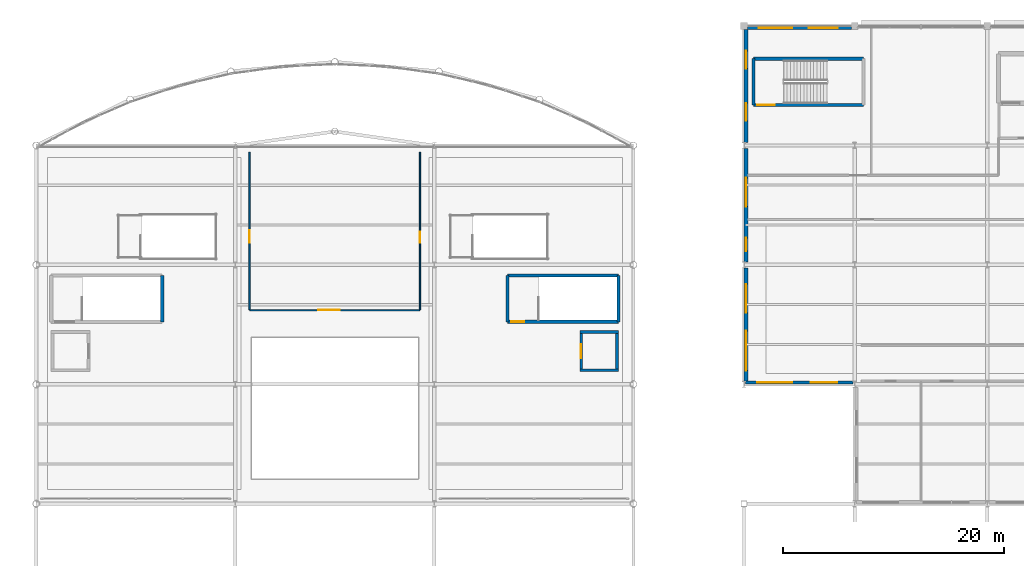
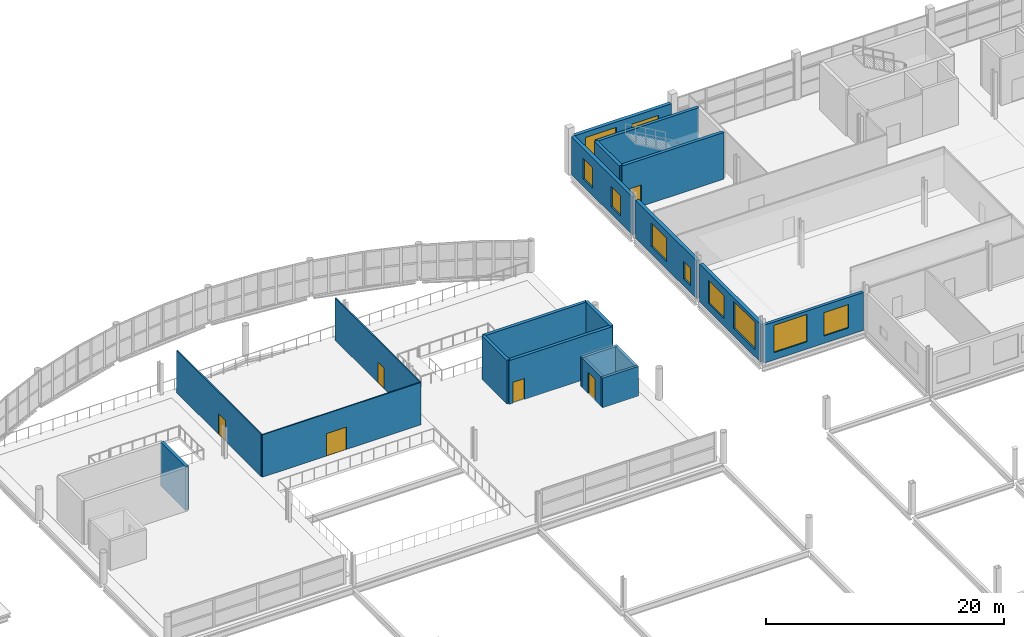
# One storey, part 123 of 134: 20 walls, 10 windows, 6 doors, 16 openings.
"""IFC4 building model written with IfcOpenShell, lengths in metres."""

import ifcopenshell
import ifcopenshell.guid

model = None  # the IFC model being written
_history = None  # IfcOwnerHistory: only IFC2X3 demands one
_inside = {}  # id of a spatial element -> (the spatial element, [elements in it])
_under = {}  # id of a project, library or spatial element -> (it, [spatial elements below it])
_declared = {}  # id of a project -> (the project, [libraries it declares])
_typed = {}  # id of a type object -> (the type object, [elements of that type])
_made_of = {}  # id of a material, layer set ... -> (it, [elements and type objects made of it])


def new_model(schema):
    """Start an empty IFC model of exactly this schema.

    Asked for "IFC4X3", IfcOpenShell would pick the latest addendum, in which some entities
    have other attributes; the version numbers below select the first issue.
    IFC2X3 requires an IfcOwnerHistory on every rooted entity: one is made here for all.
    """
    global model, _history
    if schema == "IFC4X3":
        model = ifcopenshell.file(schema_version=(4, 3, 0, 0))
    else:
        model = ifcopenshell.file(schema=schema)
    _inside.clear()
    _under.clear()
    _declared.clear()
    _typed.clear()
    _made_of.clear()
    _history = None
    if model.schema == "IFC2X3":
        org = make("IfcOrganization", Name="unknown")
        user = make(
            "IfcPersonAndOrganization",
            ThePerson=make("IfcPerson", FamilyName="unknown"),
            TheOrganization=org,
        )
        app = make(
            "IfcApplication",
            ApplicationDeveloper=org,
            Version="unknown",
            ApplicationFullName="unknown",
            ApplicationIdentifier="unknown",
        )
        _history = make(
            "IfcOwnerHistory",
            OwningUser=user,
            OwningApplication=app,
            ChangeAction="ADDED",
            CreationDate=0,
        )
    return model


def make(cls, **values):
    """One entity of the class cls with the attributes given. An attribute that is None is left unset."""
    return model.create_entity(
        cls, **{name: value for name, value in values.items() if value is not None}
    )


def rooted(cls, **values):
    """An entity with a GlobalId (a new one), such as an element, a storey or a relation."""
    return make(cls, GlobalId=ifcopenshell.guid.new(), OwnerHistory=_history, **values)


def si_unit(unit_type, name, prefix=None):
    """IfcSIUnit, for example si_unit("LENGTHUNIT", "METRE", prefix="MILLI")."""
    return make("IfcSIUnit", UnitType=unit_type, Prefix=prefix, Name=name)


def assignment(units):
    """IfcUnitAssignment: the units of a project."""
    return None if units is None else make("IfcUnitAssignment", Units=units)


def point(xyz):
    """IfcCartesianPoint."""
    return None if xyz is None else make("IfcCartesianPoint", Coordinates=xyz)


def direction(xyz):
    """IfcDirection."""
    return None if xyz is None else make("IfcDirection", DirectionRatios=xyz)


def frame(location, z_axis=None, x_axis=None):
    """IfcAxis2Placement3D, a coordinate frame: its origin and axes. An axis left out is left unset."""
    return make(
        "IfcAxis2Placement3D",
        Location=point(location),
        Axis=direction(z_axis),
        RefDirection=direction(x_axis),
    )


def frame_2d(location, x_axis=None):
    """IfcAxis2Placement2D, a coordinate frame in the plane: its origin and x axis."""
    return make(
        "IfcAxis2Placement2D", Location=point(location), RefDirection=direction(x_axis)
    )


def origin():
    """The frame at (0, 0, 0) with its axes left unset."""
    return frame((0.0, 0.0, 0.0))


def place(relative_to, where):
    """IfcLocalPlacement: puts the frame where relative to a parent placement (None: the world)."""
    return make(
        "IfcLocalPlacement", PlacementRelTo=relative_to, RelativePlacement=where
    )


def context(
    kind, dimensions, precision=None, world=None, true_north=None, identifier=None
):
    """IfcGeometricRepresentationContext, for example the 3D "Model" context."""
    return make(
        "IfcGeometricRepresentationContext",
        ContextIdentifier=identifier,
        ContextType=kind,
        CoordinateSpaceDimension=dimensions,
        Precision=precision,
        WorldCoordinateSystem=world,
        TrueNorth=true_north,
    )


def subcontext(parent, identifier, kind, view, scale=None):
    """IfcGeometricRepresentationSubContext, for example "Body" below "Model"."""
    return make(
        "IfcGeometricRepresentationSubContext",
        ContextIdentifier=identifier,
        ContextType=kind,
        ParentContext=parent,
        TargetScale=scale,
        TargetView=view,
    )


def project(units=None, contexts=None):
    """IfcProject with its units and contexts."""
    return rooted(
        "IfcProject",
        Name="project",
        RepresentationContexts=contexts,
        UnitsInContext=assignment(units),
    )


def spatial(cls, under=None, at=None, **own):
    """A site, building, storey or space (cls), placed at a placement, below another one or the project."""
    s = rooted(cls, ObjectPlacement=at, **own)
    if under is not None:
        _under.setdefault(under.id(), (under, []))[1].append(s)
    return s


def profile(cls, at=None, kind="AREA", **sizes):
    """A parametric profile (cls). Its sizes go by their IFC names, for example OverallWidth=200.0."""
    return make(cls, ProfileType=kind, Position=at, **sizes)


def rectangle(**sizes):
    """IfcRectangleProfileDef."""
    return profile("IfcRectangleProfileDef", **sizes)


def extrude(swept, where, along, depth):
    """IfcExtrudedAreaSolid: the profile swept, set in the frame where, extruded along a direction by depth."""
    return make(
        "IfcExtrudedAreaSolid",
        SweptArea=swept,
        Position=where,
        ExtrudedDirection=direction(along),
        Depth=depth,
    )


def shape(context_of_items, identifier, shape_type, items):
    """IfcShapeRepresentation: the items that make up one representation, for example the "Body"."""
    return make(
        "IfcShapeRepresentation",
        ContextOfItems=context_of_items,
        RepresentationIdentifier=identifier,
        RepresentationType=shape_type,
        Items=items,
    )


def material(Name=None, Category=None):
    """IfcMaterial."""
    return make("IfcMaterial", Name=Name, Category=Category)


def layer(
    of_material, thickness, ventilated=None, Name=None, Category=None, Priority=None
):
    """IfcMaterialLayer: one layer of a wall or slab, of a material (None: an air gap)."""
    return make(
        "IfcMaterialLayer",
        Material=of_material,
        LayerThickness=thickness,
        IsVentilated=ventilated,
        Name=Name,
        Category=Category,
        Priority=Priority,
    )


def layer_set(layers, Name=None):
    """IfcMaterialLayerSet."""
    return make("IfcMaterialLayerSet", MaterialLayers=layers, LayerSetName=Name)


def made_of(thing, what):
    """Note that an element or type object is made of a material, layer set ...; save() writes the relation."""
    if what is not None:
        _made_of.setdefault(what.id(), (what, []))[1].append(thing)
    return thing


def type_object(cls, material=None, **own):
    """A type object (cls), such as IfcWallType, which elements share."""
    return made_of(rooted(cls, **own), material)


def element(
    cls,
    number,
    at=None,
    inside=None,
    cuts=None,
    type_object=None,
    material=None,
    context=None,
    identifier="Body",
    shape_type=None,
    held_by="IfcProductDefinitionShape",
    body=None,
    shapes=None,
    **own,
):
    """One element of the class cls, such as IfcWall. Its Tag is "e" and its number.

    at: its placement. inside: the storey or other place that contains it. cuts: it is an
    opening in that element (IfcRelVoidsElement). A single representation is given by context,
    identifier, shape_type and body (its items); several are given by shapes. held_by: the class
    of the entity that holds the representations. save() writes the other relations.
    """
    e = rooted(cls, Tag="e%d" % number, ObjectPlacement=at, **own)
    if body is not None:
        shapes = [shape(context, identifier, shape_type, body)]
    if shapes is not None:
        e.Representation = make(held_by, Representations=shapes)
    if inside is not None:
        _inside.setdefault(inside.id(), (inside, []))[1].append(e)
    if cuts is not None:
        rooted(
            "IfcRelVoidsElement", RelatingBuildingElement=cuts, RelatedOpeningElement=e
        )
    if type_object is not None:
        _typed.setdefault(type_object.id(), (type_object, []))[1].append(e)
    return made_of(e, material)


def fill(opening, filler):
    """IfcRelFillsElement: the door or window that sits in an opening."""
    return rooted(
        "IfcRelFillsElement",
        RelatingOpeningElement=opening,
        RelatedBuildingElement=filler,
    )


def aggregate(whole, parts):
    """IfcRelAggregates: a whole, such as a stair, and the parts it consists of."""
    return rooted("IfcRelAggregates", RelatingObject=whole, RelatedObjects=parts)


def save(model, path):
    """Write the relations noted so far, then the file.

    IfcRelAggregates (storeys below a building ...), IfcRelContainedInSpatialStructure (elements
    in a storey), IfcRelDefinesByType, IfcRelAssociatesMaterial and IfcRelDeclares: one each for
    every whole, place, type object, material and project.
    """
    for whole, parts in _under.values():
        aggregate(whole, parts)
    for where, things in _inside.values():
        rooted(
            "IfcRelContainedInSpatialStructure",
            RelatedElements=things,
            RelatingStructure=where,
        )
    for kind, things in _typed.values():
        rooted("IfcRelDefinesByType", RelatedObjects=things, RelatingType=kind)
    for what, things in _made_of.values():
        rooted("IfcRelAssociatesMaterial", RelatedObjects=things, RelatingMaterial=what)
    for by, libraries in _declared.values():
        rooted("IfcRelDeclares", RelatingContext=by, RelatedDefinitions=libraries)
    model.write(path)


model = new_model("IFC4")

# Units and contexts
model_context = context("Model", 3, precision=1e-05, world=origin(), true_north=direction((0.0, 1.0)))
body_context = subcontext(model_context, "Body", "Model", "MODEL_VIEW")
ifc_project = project(units=[si_unit("LENGTHUNIT", "METRE"), si_unit("AREAUNIT", "SQUARE_METRE"), si_unit("VOLUMEUNIT", "CUBIC_METRE"), si_unit("PLANEANGLEUNIT", "RADIAN"), si_unit("MASSUNIT", "GRAM", prefix="KILO")], contexts=[model_context])

# Site, building, storey
site_placement = place(None, origin())
site = spatial("IfcSite", under=ifc_project, at=site_placement, CompositionType="ELEMENT")
building_placement = place(site_placement, origin())
building = spatial("IfcBuilding", under=site, at=building_placement, Name="Tamarisk Ironworks Central Station", CompositionType="ELEMENT")
storey_placement = place(building_placement, frame((0.0, 0.0, 12.60009765625)))
storey = spatial("IfcBuildingStorey", under=building, at=storey_placement, Name="L02", CompositionType="ELEMENT", Elevation=12.60009765625)

# Wall, openings, windows
ifc_material_1 = material(Name="Clay facing brickwork and mortar", Category="masonry")
ifc_layer_1 = layer(ifc_material_1, 0.280029296875)
ifc_layer_set_1 = layer_set([ifc_layer_1], Name="Clay facing brickwork and mortar")
wall_type_1 = type_object("IfcWallType", Name="WL-BR280", PredefinedType="STANDARD", material=ifc_layer_set_1)
wall_1_placement = place(storey_placement, frame((118.14794921875, 90.169921875, 0.0), z_axis=(0.0, 0.0, 1.0), x_axis=(1.0, 0.0, 0.0)))
wall_1 = element("IfcWall", 1, at=wall_1_placement, inside=storey, type_object=wall_type_1, Name="L02 brick facade wall 0075", PredefinedType="STANDARD", context=body_context, shape_type="SweptSolid", body=[
    extrude(rectangle(XDim=9.7041015625, YDim=0.280029296875, at=frame_2d((4.85205078125, 0.0))), origin(), (0.0, 0.0, 1.0), 3.89990234375),
])
opening_1_placement = place(wall_1_placement, frame((1.02587890625, 0.0, 0.75)))
opening_1 = element("IfcOpeningElement", 2, at=opening_1_placement, cuts=wall_1, Name="Opening W02", PredefinedType="OPENING", context=body_context, shape_type="SweptSolid", body=[
    extrude(rectangle(XDim=3.199951171875, YDim=2.800048828125, at=frame_2d((1.60009765625, 1.39990234375))), frame((0.0, 0.15185546875, 0.0), z_axis=(0.0, -1.0, 0.0), x_axis=(1.0, 0.0, 0.0)), (0.0, 0.0, 1.0), 0.303955078125),
])
opening_2_placement = place(wall_1_placement, frame((5.8779296875, 0.0, 0.75)))
opening_2 = element("IfcOpeningElement", 3, at=opening_2_placement, cuts=wall_1, Name="Opening W06", PredefinedType="OPENING", context=body_context, shape_type="SweptSolid", body=[
    extrude(rectangle(XDim=2.39990234375, YDim=2.39990234375, at=frame_2d((1.199951171875, 1.199951171875))), frame((0.0, 0.15185546875, 0.0), z_axis=(0.0, -1.0, 0.0), x_axis=(1.0, 0.0, 0.0)), (0.0, 0.0, 1.0), 0.303955078125),
])
ifc_material_2 = material(Name="Laminated solar-control low-E glass", Category="glass")
window_type_1 = type_object("IfcWindowType", Name="WN-02", PartitioningType="SINGLE_PANEL", PredefinedType="WINDOW", material=ifc_material_2)
window_1_placement = place(opening_1_placement, origin())
window_1 = element("IfcWindow", 4, at=window_1_placement, inside=storey, type_object=window_type_1, Name="L02 exterior window 0127", OverallHeight=2.800048828125, OverallWidth=3.199951171875, PartitioningType="DOUBLE_PANEL_VERTICAL", PredefinedType="WINDOW", context=body_context, shape_type="SweptSolid", body=[
    extrude(rectangle(XDim=3.199951171875, YDim=2.800048828125, at=frame_2d((1.60009765625, 1.39990234375))), frame((0.0, 0.030029296875, 0.0), z_axis=(0.0, -1.0, 0.0), x_axis=(1.0, 0.0, 0.0)), (0.0, 0.0, 1.0), 0.06005859375),
])
fill(opening_1, window_1)
window_type_2 = type_object("IfcWindowType", Name="WN-06", PartitioningType="SINGLE_PANEL", PredefinedType="WINDOW", material=ifc_material_2)
window_2_placement = place(opening_2_placement, origin())
window_2 = element("IfcWindow", 5, at=window_2_placement, inside=storey, type_object=window_type_2, Name="L02 exterior window 0128", OverallHeight=2.39990234375, OverallWidth=2.39990234375, PartitioningType="DOUBLE_PANEL_VERTICAL", PredefinedType="WINDOW", context=body_context, shape_type="SweptSolid", body=[
    extrude(rectangle(XDim=2.39990234375, YDim=2.39990234375, at=frame_2d((1.199951171875, 1.199951171875))), frame((0.0, 0.030029296875, 0.0), z_axis=(0.0, -1.0, 0.0), x_axis=(1.0, 0.0, 0.0)), (0.0, 0.0, 1.0), 0.06005859375),
])
fill(opening_2, window_2)

ifc_layer_2 = layer(ifc_material_1, 0.340087890625)
ifc_layer_set_2 = layer_set([ifc_layer_2], Name="Clay facing brickwork and mortar")
wall_type_2 = type_object("IfcWallType", Name="WL-BR340", PredefinedType="STANDARD", material=ifc_layer_set_2)
wall_2_placement = place(storey_placement, frame((118.298095703125, 122.22998046875, 0.0), z_axis=(0.0, 0.0, 1.0), x_axis=(1.0, 0.0, 0.0)))
wall_2 = element("IfcWall", 6, at=wall_2_placement, inside=storey, type_object=wall_type_2, Name="L02 brick facade wall 0066", PredefinedType="STANDARD", context=body_context, shape_type="SweptSolid", body=[
    extrude(rectangle(XDim=9.40380859375, YDim=0.340087890625, at=frame_2d((4.701904296875, 0.0))), origin(), (0.0, 0.0, 1.0), 3.89990234375),
])
opening_3_placement = place(wall_2_placement, frame((1.051025390625, 0.0, 0.75)))
opening_3 = element("IfcOpeningElement", 7, at=opening_3_placement, cuts=wall_2, Name="Opening W03", PredefinedType="OPENING", context=body_context, shape_type="SweptSolid", body=[
    extrude(rectangle(XDim=3.0, YDim=2.60009765625, at=frame_2d((1.5, 1.300048828125))), frame((0.0, 0.18212890625, 0.0), z_axis=(0.0, -1.0, 0.0), x_axis=(1.0, 0.0, 0.0)), (0.0, 0.0, 1.0), 0.364013671875),
])
opening_4_placement = place(wall_2_placement, frame((5.552978515625, 0.0, 0.75)))
opening_4 = element("IfcOpeningElement", 8, at=opening_4_placement, cuts=wall_2, Name="Opening W05", PredefinedType="OPENING", context=body_context, shape_type="SweptSolid", body=[
    extrude(rectangle(XDim=2.60009765625, YDim=2.39990234375, at=frame_2d((1.300048828125, 1.199951171875))), frame((0.0, 0.18212890625, 0.0), z_axis=(0.0, -1.0, 0.0), x_axis=(1.0, 0.0, 0.0)), (0.0, 0.0, 1.0), 0.364013671875),
])
window_type_3 = type_object("IfcWindowType", Name="WN-03", PartitioningType="SINGLE_PANEL", PredefinedType="WINDOW", material=ifc_material_2)
window_3_placement = place(opening_3_placement, origin())
window_3 = element("IfcWindow", 9, at=window_3_placement, inside=storey, type_object=window_type_3, Name="L02 exterior window 0105", OverallHeight=2.60009765625, OverallWidth=3.0, PartitioningType="DOUBLE_PANEL_VERTICAL", PredefinedType="WINDOW", context=body_context, shape_type="SweptSolid", body=[
    extrude(rectangle(XDim=3.0, YDim=2.60009765625, at=frame_2d((1.5, 1.300048828125))), frame((0.0, 0.030029296875, 0.0), z_axis=(0.0, -1.0, 0.0), x_axis=(1.0, 0.0, 0.0)), (0.0, 0.0, 1.0), 0.06005859375),
])
fill(opening_3, window_3)
window_type_4 = type_object("IfcWindowType", Name="WN-05", PartitioningType="SINGLE_PANEL", PredefinedType="WINDOW", material=ifc_material_2)
window_4_placement = place(opening_4_placement, origin())
window_4 = element("IfcWindow", 10, at=window_4_placement, inside=storey, type_object=window_type_4, Name="L02 exterior window 0106", OverallHeight=2.39990234375, OverallWidth=2.60009765625, PartitioningType="DOUBLE_PANEL_VERTICAL", PredefinedType="WINDOW", context=body_context, shape_type="SweptSolid", body=[
    extrude(rectangle(XDim=2.60009765625, YDim=2.39990234375, at=frame_2d((1.300048828125, 1.199951171875))), frame((0.0, 0.030029296875, 0.0), z_axis=(0.0, -1.0, 0.0), x_axis=(1.0, 0.0, 0.0)), (0.0, 0.0, 1.0), 0.06005859375),
])
fill(opening_4, window_4)

wall_3_placement = place(storey_placement, frame((118.169921875, 90.27294921875, 0.0), z_axis=(0.0, 0.0, 1.0), x_axis=(0.0, 1.0, 0.0)))
wall_3 = element("IfcWall", 11, at=wall_3_placement, inside=storey, type_object=wall_type_2, Name="L02 brick facade wall 0072", PredefinedType="STANDARD", context=body_context, shape_type="SweptSolid", body=[
    extrude(rectangle(XDim=10.254150390625, YDim=0.340087890625, at=frame_2d((5.126953125, 0.0))), origin(), (0.0, 0.0, 1.0), 3.89990234375),
])
opening_5_placement = place(wall_3_placement, frame((0.964111328125, 0.0, 0.75)))
opening_5 = element("IfcOpeningElement", 12, at=opening_5_placement, cuts=wall_3, Name="Opening W01", PredefinedType="OPENING", context=body_context, shape_type="SweptSolid", body=[
    extrude(rectangle(XDim=3.60009765625, YDim=2.800048828125, at=frame_2d((1.800048828125, 1.39990234375))), frame((0.0, 0.18212890625, 0.0), z_axis=(0.0, -1.0, 0.0), x_axis=(1.0, 0.0, 0.0)), (0.0, 0.0, 1.0), 0.364013671875),
])
opening_6_placement = place(wall_3_placement, frame((6.19091796875, 0.0, 0.75)))
opening_6 = element("IfcOpeningElement", 13, at=opening_6_placement, cuts=wall_3, Name="Opening W05", PredefinedType="OPENING", context=body_context, shape_type="SweptSolid", body=[
    extrude(rectangle(XDim=2.60009765625, YDim=2.39990234375, at=frame_2d((1.300048828125, 1.199951171875))), frame((0.0, 0.18212890625, 0.0), z_axis=(0.0, -1.0, 0.0), x_axis=(1.0, 0.0, 0.0)), (0.0, 0.0, 1.0), 0.364013671875),
])
window_type_5 = type_object("IfcWindowType", Name="WN-01", PartitioningType="SINGLE_PANEL", PredefinedType="WINDOW", material=ifc_material_2)
window_5_placement = place(opening_5_placement, origin())
window_5 = element("IfcWindow", 14, at=window_5_placement, inside=storey, type_object=window_type_5, Name="L02 exterior window 0121", OverallHeight=2.800048828125, OverallWidth=3.60009765625, PartitioningType="DOUBLE_PANEL_VERTICAL", PredefinedType="WINDOW", context=body_context, shape_type="SweptSolid", body=[
    extrude(rectangle(XDim=3.60009765625, YDim=2.800048828125, at=frame_2d((1.800048828125, 1.39990234375))), frame((0.0, 0.030029296875, 0.0), z_axis=(0.0, -1.0, 0.0), x_axis=(1.0, 0.0, 0.0)), (0.0, 0.0, 1.0), 0.06005859375),
])
fill(opening_5, window_5)
window_6_placement = place(opening_6_placement, origin())
window_6 = element("IfcWindow", 15, at=window_6_placement, inside=storey, type_object=window_type_4, Name="L02 exterior window 0122", OverallHeight=2.39990234375, OverallWidth=2.60009765625, PartitioningType="DOUBLE_PANEL_VERTICAL", PredefinedType="WINDOW", context=body_context, shape_type="SweptSolid", body=[
    extrude(rectangle(XDim=2.60009765625, YDim=2.39990234375, at=frame_2d((1.300048828125, 1.199951171875))), frame((0.0, 0.030029296875, 0.0), z_axis=(0.0, -1.0, 0.0), x_axis=(1.0, 0.0, 0.0)), (0.0, 0.0, 1.0), 0.06005859375),
])
fill(opening_6, window_6)

wall_4_placement = place(storey_placement, frame((118.169921875, 101.072998046875, 0.0), z_axis=(0.0, 0.0, 1.0), x_axis=(0.0, 1.0, 0.0)))
wall_4 = element("IfcWall", 16, at=wall_4_placement, inside=storey, type_object=wall_type_2, Name="L02 brick facade wall 0073", PredefinedType="STANDARD", context=body_context, shape_type="SweptSolid", body=[
    extrude(rectangle(XDim=10.25390625, YDim=0.340087890625, at=frame_2d((5.126953125, 0.0))), origin(), (0.0, 0.0, 1.0), 3.89990234375),
])
opening_7_placement = place(wall_4_placement, frame((0.964111328125, 0.0, 0.75)))
opening_7 = element("IfcOpeningElement", 17, at=opening_7_placement, cuts=wall_4, Name="Opening W13", PredefinedType="OPENING", context=body_context, shape_type="SweptSolid", body=[
    extrude(rectangle(XDim=1.199951171875, YDim=1.800048828125, at=frame_2d((0.60009765625, 0.89990234375))), frame((0.0, 0.18212890625, 0.0), z_axis=(0.0, -1.0, 0.0), x_axis=(1.0, 0.0, 0.0)), (0.0, 0.0, 1.0), 0.364013671875),
])
opening_8_placement = place(wall_4_placement, frame((4.990966796875, 0.0, 0.75)))
opening_8 = element("IfcOpeningElement", 18, at=opening_8_placement, cuts=wall_4, Name="Opening W05", PredefinedType="OPENING", context=body_context, shape_type="SweptSolid", body=[
    extrude(rectangle(XDim=2.60009765625, YDim=2.39990234375, at=frame_2d((1.300048828125, 1.199951171875))), frame((0.0, 0.18212890625, 0.0), z_axis=(0.0, -1.0, 0.0), x_axis=(1.0, 0.0, 0.0)), (0.0, 0.0, 1.0), 0.364013671875),
])
window_7_placement = place(opening_8_placement, origin())
window_7 = element("IfcWindow", 19, at=window_7_placement, inside=storey, type_object=window_type_4, Name="L02 exterior window 0124", OverallHeight=2.39990234375, OverallWidth=2.60009765625, PartitioningType="DOUBLE_PANEL_VERTICAL", PredefinedType="WINDOW", context=body_context, shape_type="SweptSolid", body=[
    extrude(rectangle(XDim=2.60009765625, YDim=2.39990234375, at=frame_2d((1.300048828125, 1.199951171875))), frame((0.0, 0.030029296875, 0.0), z_axis=(0.0, -1.0, 0.0), x_axis=(1.0, 0.0, 0.0)), (0.0, 0.0, 1.0), 0.06005859375),
])
fill(opening_8, window_7)
window_type_6 = type_object("IfcWindowType", Name="WN-13", PartitioningType="SINGLE_PANEL", PredefinedType="WINDOW", material=ifc_material_2)
window_8_placement = place(opening_7_placement, origin())
window_8 = element("IfcWindow", 20, at=window_8_placement, inside=storey, type_object=window_type_6, Name="L02 exterior window 0123", OverallHeight=1.800048828125, OverallWidth=1.199951171875, PartitioningType="DOUBLE_PANEL_VERTICAL", PredefinedType="WINDOW", context=body_context, shape_type="SweptSolid", body=[
    extrude(rectangle(XDim=1.199951171875, YDim=1.800048828125, at=frame_2d((0.60009765625, 0.89990234375))), frame((0.0, 0.030029296875, 0.0), z_axis=(0.0, -1.0, 0.0), x_axis=(1.0, 0.0, 0.0)), (0.0, 0.0, 1.0), 0.06005859375),
])
fill(opening_7, window_8)

wall_5_placement = place(storey_placement, frame((118.169921875, 111.873046875, 0.0), z_axis=(0.0, 0.0, 1.0), x_axis=(0.0, 1.0, 0.0)))
wall_5 = element("IfcWall", 21, at=wall_5_placement, inside=storey, type_object=wall_type_2, Name="L02 brick facade wall 0074", PredefinedType="STANDARD", context=body_context, shape_type="SweptSolid", body=[
    extrude(rectangle(XDim=10.22900390625, YDim=0.340087890625, at=frame_2d((5.114501953125, 0.0))), origin(), (0.0, 0.0, 1.0), 3.89990234375),
])
opening_9_placement = place(wall_5_placement, frame((1.95703125, 0.0, 0.75)))
opening_9 = element("IfcOpeningElement", 22, at=opening_9_placement, cuts=wall_5, Name="Opening W10", PredefinedType="OPENING", context=body_context, shape_type="SweptSolid", body=[
    extrude(rectangle(XDim=1.60009765625, YDim=2.10009765625, at=frame_2d((0.800048828125, 1.050048828125))), frame((0.0, 0.18212890625, 0.0), z_axis=(0.0, -1.0, 0.0), x_axis=(1.0, 0.0, 0.0)), (0.0, 0.0, 1.0), 0.364013671875),
])
opening_10_placement = place(wall_5_placement, frame((6.672119140625, 0.0, 0.75)))
opening_10 = element("IfcOpeningElement", 23, at=opening_10_placement, cuts=wall_5, Name="Opening W10", PredefinedType="OPENING", context=body_context, shape_type="SweptSolid", body=[
    extrude(rectangle(XDim=1.60009765625, YDim=2.10009765625, at=frame_2d((0.800048828125, 1.050048828125))), frame((0.0, 0.18212890625, 0.0), z_axis=(0.0, -1.0, 0.0), x_axis=(1.0, 0.0, 0.0)), (0.0, 0.0, 1.0), 0.364013671875),
])
window_type_7 = type_object("IfcWindowType", Name="WN-10", PartitioningType="SINGLE_PANEL", PredefinedType="WINDOW", material=ifc_material_2)
window_9_placement = place(opening_9_placement, origin())
window_9 = element("IfcWindow", 24, at=window_9_placement, inside=storey, type_object=window_type_7, Name="L02 exterior window 0125", OverallHeight=2.10009765625, OverallWidth=1.60009765625, PartitioningType="DOUBLE_PANEL_VERTICAL", PredefinedType="WINDOW", context=body_context, shape_type="SweptSolid", body=[
    extrude(rectangle(XDim=1.60009765625, YDim=2.10009765625, at=frame_2d((0.800048828125, 1.050048828125))), frame((0.0, 0.030029296875, 0.0), z_axis=(0.0, -1.0, 0.0), x_axis=(1.0, 0.0, 0.0)), (0.0, 0.0, 1.0), 0.06005859375),
])
fill(opening_9, window_9)
window_10_placement = place(opening_10_placement, origin())
window_10 = element("IfcWindow", 25, at=window_10_placement, inside=storey, type_object=window_type_7, Name="L02 exterior window 0126", OverallHeight=2.10009765625, OverallWidth=1.60009765625, PartitioningType="DOUBLE_PANEL_VERTICAL", PredefinedType="WINDOW", context=body_context, shape_type="SweptSolid", body=[
    extrude(rectangle(XDim=1.60009765625, YDim=2.10009765625, at=frame_2d((0.800048828125, 1.050048828125))), frame((0.0, 0.030029296875, 0.0), z_axis=(0.0, -1.0, 0.0), x_axis=(1.0, 0.0, 0.0)), (0.0, 0.0, 1.0), 0.06005859375),
])
fill(opening_10, window_10)

# Wall, opening, door
ifc_material_3 = material(Name="Concrete C50/60", Category="concrete")
ifc_layer_3 = layer(ifc_material_3, 0.300048828125)
ifc_layer_set_3 = layer_set([ifc_layer_3], Name="Concrete C50/60")
wall_type_3 = type_object("IfcWallType", Name="WL-CW300", PredefinedType="SOLIDWALL", material=ifc_layer_set_3)
wall_6_placement = place(storey_placement, frame((118.85498046875, 115.2548828125, 0.0), z_axis=(0.0, 0.0, 1.0), x_axis=(1.0, 0.0, 0.0)))
wall_6 = element("IfcWall", 26, at=wall_6_placement, inside=storey, type_object=wall_type_3, Name="ST-C5 core wall L (L02)", PredefinedType="SOLIDWALL", context=body_context, shape_type="SweptSolid", body=[
    extrude(rectangle(XDim=9.93994140625, YDim=0.300048828125, at=frame_2d((4.969970703125, 0.0))), origin(), (0.0, 0.0, 1.0), 4.7998046875),
])
opening_11_placement = place(wall_6_placement, frame((0.35009765625, 0.0, 0.0048828125)))
opening_11 = element("IfcOpeningElement", 27, at=opening_11_placement, cuts=wall_6, Name="Opening FD04", PredefinedType="OPENING", context=body_context, shape_type="SweptSolid", body=[
    extrude(rectangle(XDim=1.550048828125, YDim=2.199951171875, at=frame_2d((0.77490234375, 1.10009765625))), frame((0.0, 0.162109375, 0.0), z_axis=(0.0, -1.0, 0.0), x_axis=(1.0, 0.0, 0.0)), (0.0, 0.0, 1.0), 0.323974609375),
])
ifc_material_4 = material(Name="Galvanised hollow-metal door steel", Category="steel")
door_type_1 = type_object("IfcDoorType", Name="DR-FD04", OperationType="NOTDEFINED", PredefinedType="DOOR", material=ifc_material_4)
door_1_placement = place(opening_11_placement, origin())
door_1 = element("IfcDoor", 28, at=door_1_placement, inside=storey, type_object=door_type_1, Name="ST-C5 fire stair door (L02)", OperationType="SINGLE_SWING_LEFT", OverallHeight=2.199951171875, OverallWidth=1.550048828125, PredefinedType="DOOR", context=body_context, shape_type="SweptSolid", body=[
    extrude(rectangle(XDim=1.550048828125, YDim=2.199951171875, at=frame_2d((0.77490234375, 1.10009765625))), frame((0.0, 0.02490234375, 0.0), z_axis=(0.0, -1.0, 0.0), x_axis=(1.0, 0.0, 0.0)), (0.0, 0.0, 1.0), 0.050048828125),
])
fill(opening_11, door_1)

# Walls
wall_7_placement = place(storey_placement, frame((118.85498046875, 119.445068359375, 0.0), z_axis=(0.0, 0.0, 1.0), x_axis=(1.0, 0.0, 0.0)))
element("IfcWall", 29, at=wall_7_placement, inside=storey, type_object=wall_type_3, Name="ST-C5 core wall R (L02)", PredefinedType="SOLIDWALL", context=body_context, shape_type="SweptSolid", body=[
    extrude(rectangle(XDim=9.93994140625, YDim=0.300048828125, at=frame_2d((4.969970703125, 0.0))), origin(), (0.0, 0.0, 1.0), 4.7998046875),
])
wall_8_placement = place(storey_placement, frame((118.85498046875, 115.2548828125, 0.0), z_axis=(0.0, 0.0, 1.0), x_axis=(0.0, 1.0, 0.0)))
element("IfcWall", 30, at=wall_8_placement, inside=storey, type_object=wall_type_3, Name="ST-C5 core wall N (L02)", PredefinedType="SOLIDWALL", context=body_context, shape_type="SweptSolid", body=[
    extrude(rectangle(XDim=4.190185546875, YDim=0.300048828125, at=frame_2d((2.09521484375, 0.0))), origin(), (0.0, 0.0, 1.0), 4.7998046875),
])
wall_9_placement = place(storey_placement, frame((65.39501953125, 95.655029296875, 0.0), z_axis=(0.0, 0.0, 1.0), x_axis=(0.0, 1.0, 0.0)))
element("IfcWall", 31, at=wall_9_placement, inside=storey, type_object=wall_type_3, Name="ST-C3 core wall F (L02)", PredefinedType="SOLIDWALL", context=body_context, shape_type="SweptSolid", body=[
    extrude(rectangle(XDim=4.18994140625, YDim=0.300048828125, at=frame_2d((2.094970703125, 0.0))), origin(), (0.0, 0.0, 1.0), 4.5),
])

# Wall, opening, door
wall_10_placement = place(storey_placement, frame((96.60498046875, 95.655029296875, 0.0), z_axis=(0.0, 0.0, 1.0), x_axis=(1.0, 0.0, 0.0)))
wall_10 = element("IfcWall", 32, at=wall_10_placement, inside=storey, type_object=wall_type_3, Name="ST-C4 core wall L (L02)", PredefinedType="SOLIDWALL", context=body_context, shape_type="SweptSolid", body=[
    extrude(rectangle(XDim=10.0400390625, YDim=0.300048828125, at=frame_2d((5.02001953125, 0.0))), origin(), (0.0, 0.0, 1.0), 4.5),
])
opening_12_placement = place(wall_10_placement, frame((0.35009765625, 0.0, 0.0048828125)))
opening_12 = element("IfcOpeningElement", 33, at=opening_12_placement, cuts=wall_10, Name="Opening FD06", PredefinedType="OPENING", context=body_context, shape_type="SweptSolid", body=[
    extrude(rectangle(XDim=1.14990234375, YDim=2.14990234375, at=frame_2d((0.574951171875, 1.074951171875))), frame((0.0, 0.162109375, 0.0), z_axis=(0.0, -1.0, 0.0), x_axis=(1.0, 0.0, 0.0)), (0.0, 0.0, 1.0), 0.323974609375),
])
door_type_2 = type_object("IfcDoorType", Name="DR-FD06", OperationType="NOTDEFINED", PredefinedType="DOOR", material=ifc_material_4)
door_2_placement = place(opening_12_placement, origin())
door_2 = element("IfcDoor", 34, at=door_2_placement, inside=storey, type_object=door_type_2, Name="ST-C4 fire stair door (L02)", OperationType="SINGLE_SWING_LEFT", OverallHeight=2.14990234375, OverallWidth=1.14990234375, PredefinedType="DOOR", context=body_context, shape_type="SweptSolid", body=[
    extrude(rectangle(XDim=1.14990234375, YDim=2.14990234375, at=frame_2d((0.574951171875, 1.074951171875))), frame((0.0, 0.02490234375, 0.0), z_axis=(0.0, -1.0, 0.0), x_axis=(1.0, 0.0, 0.0)), (0.0, 0.0, 1.0), 0.050048828125),
])
fill(opening_12, door_2)

# Walls
wall_11_placement = place(storey_placement, frame((96.60498046875, 99.844970703125, 0.0), z_axis=(0.0, 0.0, 1.0), x_axis=(1.0, 0.0, 0.0)))
element("IfcWall", 35, at=wall_11_placement, inside=storey, type_object=wall_type_3, Name="ST-C4 core wall R (L02)", PredefinedType="SOLIDWALL", context=body_context, shape_type="SweptSolid", body=[
    extrude(rectangle(XDim=10.0400390625, YDim=0.300048828125, at=frame_2d((5.02001953125, 0.0))), origin(), (0.0, 0.0, 1.0), 4.5),
])
for number, where, z_axis, x_axis, name in (
    (36, (96.60498046875, 95.655029296875, 0.0), (0.0, 0.0, 1.0), (0.0, 1.0, 0.0), "ST-C4 core wall N (L02)"),
    (37, (106.64501953125, 95.655029296875, 0.0), (0.0, 0.0, 1.0), (0.0, 1.0, 0.0), "ST-C4 core wall F (L02)"),
):
    element("IfcWall", number, at=place(storey_placement, frame(where, z_axis=z_axis, x_axis=x_axis)), inside=storey, type_object=wall_type_3, Name=name, PredefinedType="SOLIDWALL", context=body_context, shape_type="SweptSolid", body=[
        extrude(rectangle(XDim=4.18994140625, YDim=0.300048828125, at=frame_2d((2.094970703125, 0.0))), origin(), (0.0, 0.0, 1.0), 4.5),
    ])

# Wall, opening, door
ifc_layer_4 = layer(ifc_material_2, 0.114990234375)
ifc_layer_set_4 = layer_set([ifc_layer_4], Name="Laminated solar-control low-E glass")
wall_type_4 = type_object("IfcWallType", Name="WL-GL120", PredefinedType="PARTITIONING", material=ifc_layer_set_4)
wall_12_placement = place(storey_placement, frame((73.300048828125, 96.699951171875, 0.0), z_axis=(0.0, 0.0, 1.0), x_axis=(1.0, 0.0, 0.0)))
wall_12 = element("IfcWall", 38, at=wall_12_placement, inside=storey, type_object=wall_type_4, Name="L02 interior partition 0053", PredefinedType="PARTITIONING", context=body_context, shape_type="SweptSolid", body=[
    extrude(rectangle(XDim=15.39990234375, YDim=0.114990234375, at=frame_2d((7.699951171875, 0.0))), origin(), (0.0, 0.0, 1.0), 4.349853515625),
])
opening_13_placement = place(wall_12_placement, frame((6.199951171875, 0.0, 0.0048828125)))
opening_13 = element("IfcOpeningElement", 39, at=opening_13_placement, cuts=wall_12, Name="Opening D02", PredefinedType="OPENING", context=body_context, shape_type="SweptSolid", body=[
    extrude(rectangle(XDim=1.949951171875, YDim=2.300048828125, at=frame_2d((0.97509765625, 1.14990234375))), frame((0.0, 0.0693359375, 0.0), z_axis=(0.0, -1.0, 0.0), x_axis=(1.0, 0.0, 0.0)), (0.0, 0.0, 1.0), 0.138916015625),
])
ifc_material_5 = material(Name="Anodized aluminium alloy 6063-T6", Category="aluminium")
door_type_3 = type_object("IfcDoorType", Name="DR-ID02", OperationType="NOTDEFINED", PredefinedType="DOOR", material=ifc_material_5)
door_3_placement = place(opening_13_placement, origin())
door_3 = element("IfcDoor", 40, at=door_3_placement, inside=storey, type_object=door_type_3, Name="L02 room door 0040", OperationType="DOUBLE_DOOR_SINGLE_SWING", OverallHeight=2.300048828125, OverallWidth=1.949951171875, PredefinedType="DOOR", context=body_context, shape_type="SweptSolid", body=[
    extrude(rectangle(XDim=1.949951171875, YDim=2.300048828125, at=frame_2d((0.97509765625, 1.14990234375))), frame((0.0, 0.02490234375, 0.0), z_axis=(0.0, -1.0, 0.0), x_axis=(1.0, 0.0, 0.0)), (0.0, 0.0, 1.0), 0.050048828125),
])
fill(opening_13, door_3)

ifc_material_6 = material(Name="Gypsum plasterboard acoustic partition")
ifc_layer_5 = layer(ifc_material_6, 0.1201171875)
ifc_layer_set_5 = layer_set([ifc_layer_5], Name="Gypsum plasterboard acoustic partition")
wall_type_5 = type_object("IfcWallType", Name="WL-PT120", PredefinedType="PARTITIONING", material=ifc_layer_set_5)
wall_13_placement = place(storey_placement, frame((73.300048828125, 96.755615234375, 0.0), z_axis=(0.0, 0.0, 1.0), x_axis=(0.0, 1.0, 0.0)))
wall_13 = element("IfcWall", 41, at=wall_13_placement, inside=storey, type_object=wall_type_5, Name="L02 interior partition 0054", PredefinedType="PARTITIONING", context=body_context, shape_type="SweptSolid", body=[
    extrude(rectangle(XDim=14.244384765625, YDim=0.1201171875, at=frame_2d((7.1220703125, 0.0))), origin(), (0.0, 0.0, 1.0), 4.349853515625),
])
opening_14_placement = place(wall_13_placement, frame((6.054931640625, 0.0, 0.0048828125)))
opening_14 = element("IfcOpeningElement", 42, at=opening_14_placement, cuts=wall_13, Name="Opening D05", PredefinedType="OPENING", context=body_context, shape_type="SweptSolid", body=[
    extrude(rectangle(XDim=1.10009765625, YDim=2.10009765625, at=frame_2d((0.550048828125, 1.050048828125))), frame((0.0, 0.072021484375, 0.0), z_axis=(0.0, -1.0, 0.0), x_axis=(1.0, 0.0, 0.0)), (0.0, 0.0, 1.0), 0.14404296875),
])
ifc_material_7 = material(Name="FSC certified tropical hardwood timber", Category="wood")
door_type_4 = type_object("IfcDoorType", Name="DR-ID05", OperationType="NOTDEFINED", PredefinedType="DOOR", material=ifc_material_7)
door_4_placement = place(opening_14_placement, origin())
door_4 = element("IfcDoor", 43, at=door_4_placement, inside=storey, type_object=door_type_4, Name="L02 room door 0041", OperationType="SINGLE_SWING_LEFT", OverallHeight=2.10009765625, OverallWidth=1.10009765625, PredefinedType="DOOR", context=body_context, shape_type="SweptSolid", body=[
    extrude(rectangle(XDim=1.10009765625, YDim=2.10009765625, at=frame_2d((0.550048828125, 1.050048828125))), frame((0.0, 0.02490234375, 0.0), z_axis=(0.0, -1.0, 0.0), x_axis=(1.0, 0.0, 0.0)), (0.0, 0.0, 1.0), 0.050048828125),
])
fill(opening_14, door_4)

wall_14_placement = place(storey_placement, frame((88.699951171875, 96.755615234375, 0.0), z_axis=(0.0, 0.0, 1.0), x_axis=(0.0, 1.0, 0.0)))
wall_14 = element("IfcWall", 44, at=wall_14_placement, inside=storey, type_object=wall_type_5, Name="L02 interior partition 0055", PredefinedType="PARTITIONING", context=body_context, shape_type="SweptSolid", body=[
    extrude(rectangle(XDim=14.244384765625, YDim=0.1201171875, at=frame_2d((7.1220703125, 0.0))), origin(), (0.0, 0.0, 1.0), 4.349853515625),
])
opening_15_placement = place(wall_14_placement, frame((6.054931640625, 0.0, 0.0048828125)))
opening_15 = element("IfcOpeningElement", 45, at=opening_15_placement, cuts=wall_14, Name="Opening D06", PredefinedType="OPENING", context=body_context, shape_type="SweptSolid", body=[
    extrude(rectangle(XDim=1.0, YDim=2.10009765625, at=frame_2d((0.5, 1.050048828125))), frame((0.0, 0.072021484375, 0.0), z_axis=(0.0, -1.0, 0.0), x_axis=(1.0, 0.0, 0.0)), (0.0, 0.0, 1.0), 0.14404296875),
])
door_type_5 = type_object("IfcDoorType", Name="DR-ID06", OperationType="NOTDEFINED", PredefinedType="DOOR", material=ifc_material_7)
door_5_placement = place(opening_15_placement, origin())
door_5 = element("IfcDoor", 46, at=door_5_placement, inside=storey, type_object=door_type_5, Name="L02 room door 0042", OperationType="SINGLE_SWING_RIGHT", OverallHeight=2.10009765625, OverallWidth=1.0, PredefinedType="DOOR", context=body_context, shape_type="SweptSolid", body=[
    extrude(rectangle(XDim=1.0, YDim=2.10009765625, at=frame_2d((0.5, 1.050048828125))), frame((0.0, 0.02490234375, 0.0), z_axis=(0.0, -1.0, 0.0), x_axis=(1.0, 0.0, 0.0)), (0.0, 0.0, 1.0), 0.050048828125),
])
fill(opening_15, door_5)

# Walls
ifc_layer_6 = layer(ifc_material_3, 0.25)
ifc_layer_set_6 = layer_set([ifc_layer_6], Name="Concrete C50/60")
wall_type_6 = type_object("IfcWallType", Name="WL-SH250", PredefinedType="SOLIDWALL", material=ifc_layer_set_6)
for number, where, z_axis, x_axis, name in (
    (47, (103.14990234375, 91.27490234375, 0.0), (0.0, 0.0, 1.0), (1.0, 0.0, 0.0), "LF-C2 lift shaft wall S (L02)"),
    (48, (103.14990234375, 94.72509765625, 0.0), (0.0, 0.0, 1.0), (1.0, 0.0, 0.0), "LF-C2 lift shaft wall N (L02)"),
):
    element("IfcWall", number, at=place(storey_placement, frame(where, z_axis=z_axis, x_axis=x_axis)), inside=storey, type_object=wall_type_6, Name=name, PredefinedType="SOLIDWALL", context=body_context, shape_type="SweptSolid", body=[
        extrude(rectangle(XDim=3.5, YDim=0.25, at=frame_2d((1.75, 0.0))), origin(), (0.0, 0.0, 1.0), 3.0498046875),
    ])

# Wall, opening, door
wall_15_placement = place(storey_placement, frame((103.27490234375, 91.39990234375, 0.0), z_axis=(0.0, 0.0, 1.0), x_axis=(0.0, 1.0, 0.0)))
wall_15 = element("IfcWall", 49, at=wall_15_placement, inside=storey, type_object=wall_type_6, Name="LF-C2 lift shaft wall W (L02)", PredefinedType="SOLIDWALL", context=body_context, shape_type="SweptSolid", body=[
    extrude(rectangle(XDim=3.2001953125, YDim=0.25, at=frame_2d((1.60009765625, 0.0))), origin(), (0.0, 0.0, 1.0), 3.0498046875),
])
opening_16_placement = place(wall_15_placement, frame((0.97509765625, 0.0, 0.0048828125)))
opening_16 = element("IfcOpeningElement", 50, at=opening_16_placement, cuts=wall_15, Name="Opening LD02", PredefinedType="OPENING", context=body_context, shape_type="SweptSolid", body=[
    extrude(rectangle(XDim=1.25, YDim=2.199951171875, at=frame_2d((0.625, 1.10009765625))), frame((0.0, 0.136962890625, 0.0), z_axis=(0.0, -1.0, 0.0), x_axis=(1.0, 0.0, 0.0)), (0.0, 0.0, 1.0), 0.27392578125),
])
ifc_material_8 = material(Name="Brushed stainless steel AISI 316", Category="steel")
door_type_6 = type_object("IfcDoorType", Name="DR-LD02", OperationType="NOTDEFINED", PredefinedType="DOOR", material=ifc_material_8)
door_6_placement = place(opening_16_placement, origin())
door_6 = element("IfcDoor", 51, at=door_6_placement, inside=storey, type_object=door_type_6, Name="LF-C2 sliding lift landing door (L02)", OperationType="SLIDING_TO_LEFT", OverallHeight=2.199951171875, OverallWidth=1.25, PredefinedType="DOOR", context=body_context, shape_type="SweptSolid", body=[
    extrude(rectangle(XDim=1.25, YDim=2.199951171875, at=frame_2d((0.625, 1.10009765625))), frame((0.0, 0.02490234375, 0.0), z_axis=(0.0, -1.0, 0.0), x_axis=(1.0, 0.0, 0.0)), (0.0, 0.0, 1.0), 0.050048828125),
])
fill(opening_16, door_6)

# Wall
wall_16_placement = place(storey_placement, frame((106.52490234375, 91.39990234375, 0.0), z_axis=(0.0, 0.0, 1.0), x_axis=(0.0, 1.0, 0.0)))
element("IfcWall", 52, at=wall_16_placement, inside=storey, type_object=wall_type_6, Name="LF-C2 lift shaft wall E (L02)", PredefinedType="SOLIDWALL", context=body_context, shape_type="SweptSolid", body=[
    extrude(rectangle(XDim=3.2001953125, YDim=0.25, at=frame_2d((1.60009765625, 0.0))), origin(), (0.0, 0.0, 1.0), 3.0498046875),
])

save(model, "model.ifc")
